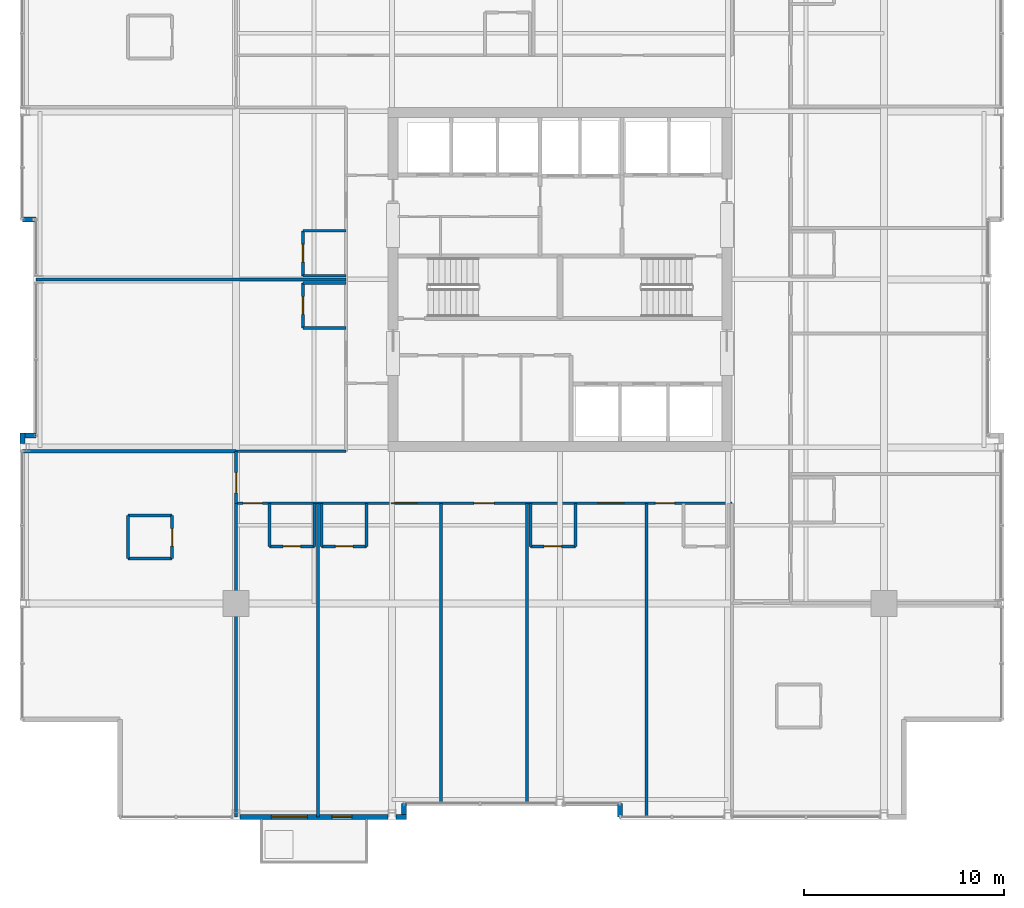
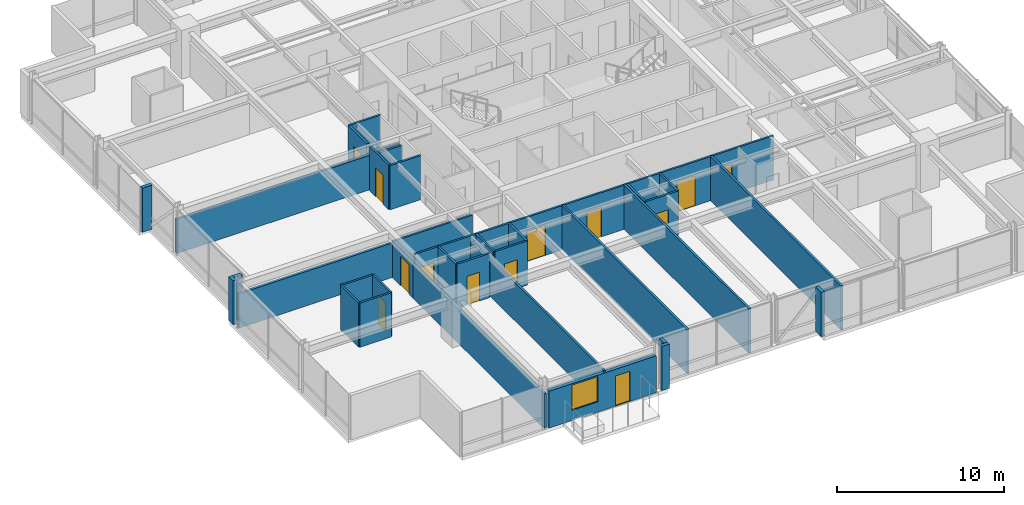
# One storey, part 26 of 33: 36 walls, 13 doors, 1 window, 14 openings.
"""IFC4 building model written with IfcOpenShell, lengths in metres."""

from ifc_helpers import new_model, si_unit, direction, frame, frame_2d, origin, place, context, subcontext, project, spatial, rectangle, extrude, material, layer, layer_set, type_object, element, fill, save


model = new_model("IFC4")

# Units and contexts
model_context = context("Model", 3, precision=1e-05, world=origin(), true_north=direction((0.0, 1.0)))
body_context = subcontext(model_context, "Body", "Model", "MODEL_VIEW")
ifc_project = project(units=[si_unit("LENGTHUNIT", "METRE"), si_unit("AREAUNIT", "SQUARE_METRE"), si_unit("VOLUMEUNIT", "CUBIC_METRE"), si_unit("PLANEANGLEUNIT", "RADIAN"), si_unit("MASSUNIT", "GRAM", prefix="KILO")], contexts=[model_context])

# Site, building, storey
site_placement = place(None, origin())
site = spatial("IfcSite", under=ifc_project, at=site_placement, CompositionType="ELEMENT")
building_placement = place(site_placement, origin())
building = spatial("IfcBuilding", under=site, at=building_placement, Name="Drelvath Grand Hotel", CompositionType="ELEMENT")
storey_placement = place(building_placement, frame((0.0, 0.0, 196.550048828125)))
storey = spatial("IfcBuildingStorey", under=building, at=storey_placement, Name="L51", CompositionType="ELEMENT", Elevation=196.550048828125)

# Wall
ifc_material_1 = material(Name="Gypsum Fireboard Partition")
ifc_layer_1 = layer(ifc_material_1, 0.135009765625)
ifc_layer_set_1 = layer_set([ifc_layer_1], Name="Gypsum Fireboard Partition")
wall_type_1 = type_object("IfcWallType", Name="Corridor Fire Barrier Wall 135", PredefinedType="PARTITIONING", material=ifc_layer_set_1)
wall_1_placement = place(storey_placement, frame((-16.199951171875, 18.39990234375, 0.0), z_axis=(0.0, 0.0, 1.0), x_axis=(1.0, 0.0, 0.0)))
element("IfcWall", 1, at=wall_1_placement, inside=storey, type_object=wall_type_1, Name="L51 SW Stub North Wall", PredefinedType="PARTITIONING", context=body_context, shape_type="SweptSolid", body=[
    extrude(rectangle(XDim=5.5, YDim=0.135009765625, at=frame_2d((2.75, 0.0))), origin(), (0.0, 0.0, 1.0), 2.607421875),
])

# Wall, openings, doors
wall_2_placement = place(storey_placement, frame((-16.199951171875, 15.800048828125, 0.0), z_axis=(0.0, 0.0, 1.0), x_axis=(1.0, 0.0, 0.0)))
wall_2 = element("IfcWall", 2, at=wall_2_placement, inside=storey, type_object=wall_type_1, Name="L51 South Stub Corridor Wall", PredefinedType="PARTITIONING", context=body_context, shape_type="SweptSolid", body=[
    extrude(rectangle(XDim=24.800048828125, YDim=0.135009765625, at=frame_2d((12.39990234375, 0.0))), origin(), (0.0, 0.0, 1.0), 3.22998046875),
])
opening_1_placement = place(wall_2_placement, frame((0.35498046875, 0.0, 0.0)))
opening_1 = element("IfcOpeningElement", 3, at=opening_1_placement, cuts=wall_2, Name="Opening D-T3G5-035", PredefinedType="OPENING", context=body_context, shape_type="SweptSolid", body=[
    extrude(rectangle(XDim=0.9599609375, YDim=2.14990234375, at=frame_2d((0.47998046875, 1.074951171875))), frame((0.0, 0.077392578125, 0.0), z_axis=(0.0, -1.0, 0.0), x_axis=(1.0, 0.0, 0.0)), (0.0, 0.0, 1.0), 0.155029296875),
])
opening_2_placement = place(wall_2_placement, frame((7.76611328125, 0.0, 0.0)))
opening_2 = element("IfcOpeningElement", 4, at=opening_2_placement, cuts=wall_2, Name="Opening D-T3G5-037", PredefinedType="OPENING", context=body_context, shape_type="SweptSolid", body=[
    extrude(rectangle(XDim=1.260009765625, YDim=2.199951171875, at=frame_2d((0.6298828125, 1.10009765625))), frame((0.0, 0.077392578125, 0.0), z_axis=(0.0, -1.0, 0.0), x_axis=(1.0, 0.0, 0.0)), (0.0, 0.0, 1.0), 0.155029296875),
])
opening_3_placement = place(wall_2_placement, frame((11.889892578125, 0.0, 0.0)))
opening_3 = element("IfcOpeningElement", 5, at=opening_3_placement, cuts=wall_2, Name="Opening D-T3G5-038", PredefinedType="OPENING", context=body_context, shape_type="SweptSolid", body=[
    extrude(rectangle(XDim=1.02001953125, YDim=2.14990234375, at=frame_2d((0.510009765625, 1.074951171875))), frame((0.0, 0.077392578125, 0.0), z_axis=(0.0, -1.0, 0.0), x_axis=(1.0, 0.0, 0.0)), (0.0, 0.0, 1.0), 0.155029296875),
])
opening_4_placement = place(wall_2_placement, frame((18.115966796875, 0.0, 0.0)))
opening_4 = element("IfcOpeningElement", 6, at=opening_4_placement, cuts=wall_2, Name="Opening D-T3G5-040", PredefinedType="OPENING", context=body_context, shape_type="SweptSolid", body=[
    extrude(rectangle(XDim=1.260009765625, YDim=2.199951171875, at=frame_2d((0.6298828125, 1.10009765625))), frame((0.0, 0.077392578125, 0.0), z_axis=(0.0, -1.0, 0.0), x_axis=(1.0, 0.0, 0.0)), (0.0, 0.0, 1.0), 0.155029296875),
])
opening_5_placement = place(wall_2_placement, frame((20.967041015625, 0.0, 0.0)))
opening_5 = element("IfcOpeningElement", 7, at=opening_5_placement, cuts=wall_2, Name="Opening D-T3G5-042", PredefinedType="OPENING", context=body_context, shape_type="SweptSolid", body=[
    extrude(rectangle(XDim=0.9599609375, YDim=2.14990234375, at=frame_2d((0.47998046875, 1.074951171875))), frame((0.0, 0.077392578125, 0.0), z_axis=(0.0, -1.0, 0.0), x_axis=(1.0, 0.0, 0.0)), (0.0, 0.0, 1.0), 0.155029296875),
])
ifc_material_2 = material(Name="Hardwood Walnut Timber", Category="wood")
door_type_1 = type_object("IfcDoorType", Name="Amenity Meeting Fire Door 1020x2150", OperationType="NOTDEFINED", PredefinedType="DOOR", material=ifc_material_2)
door_1_placement = place(opening_3_placement, origin())
door_1 = element("IfcDoor", 8, at=door_1_placement, inside=storey, type_object=door_type_1, Name="L51 Boardroom Entry Door", OperationType="SINGLE_SWING_RIGHT", OverallHeight=2.14990234375, OverallWidth=1.02001953125, PredefinedType="DOOR", context=body_context, shape_type="SweptSolid", body=[
    extrude(rectangle(XDim=1.02001953125, YDim=2.14990234375, at=frame_2d((0.510009765625, 1.074951171875))), frame((0.0, 0.02490234375, 0.0), z_axis=(0.0, -1.0, 0.0), x_axis=(1.0, 0.0, 0.0)), (0.0, 0.0, 1.0), 0.050048828125),
])
fill(opening_3, door_1)
door_type_2 = type_object("IfcDoorType", Name="Guestroom Entrance Fire Door 960x2150", OperationType="NOTDEFINED", PredefinedType="DOOR", material=ifc_material_2)
door_2_placement = place(opening_1_placement, origin())
door_2 = element("IfcDoor", 9, at=door_2_placement, inside=storey, type_object=door_type_2, Name="L51 King Guest Room Entry Door", OperationType="SINGLE_SWING_LEFT", OverallHeight=2.14990234375, OverallWidth=0.9599609375, PredefinedType="DOOR", context=body_context, shape_type="SweptSolid", body=[
    extrude(rectangle(XDim=0.9599609375, YDim=2.14990234375, at=frame_2d((0.47998046875, 1.074951171875))), frame((0.0, 0.02490234375, 0.0), z_axis=(0.0, -1.0, 0.0), x_axis=(1.0, 0.0, 0.0)), (0.0, 0.0, 1.0), 0.050048828125),
])
fill(opening_1, door_2)
door_3_placement = place(opening_5_placement, origin())
door_3 = element("IfcDoor", 10, at=door_3_placement, inside=storey, type_object=door_type_2, Name="L51 King Guest Room Entry Door", OperationType="SINGLE_SWING_RIGHT", OverallHeight=2.14990234375, OverallWidth=0.9599609375, PredefinedType="DOOR", context=body_context, shape_type="SweptSolid", body=[
    extrude(rectangle(XDim=0.9599609375, YDim=2.14990234375, at=frame_2d((0.47998046875, 1.074951171875))), frame((0.0, 0.02490234375, 0.0), z_axis=(0.0, -1.0, 0.0), x_axis=(1.0, 0.0, 0.0)), (0.0, 0.0, 1.0), 0.050048828125),
])
fill(opening_5, door_3)
door_type_3 = type_object("IfcDoorType", Name="Suite Entrance Fire Door 1260x2200", OperationType="NOTDEFINED", PredefinedType="DOOR", material=ifc_material_2)
door_4_placement = place(opening_2_placement, origin())
door_4 = element("IfcDoor", 11, at=door_4_placement, inside=storey, type_object=door_type_3, Name="L51 Executive Suite Entry Door", OperationType="SINGLE_SWING_LEFT", OverallHeight=2.199951171875, OverallWidth=1.260009765625, PredefinedType="DOOR", context=body_context, shape_type="SweptSolid", body=[
    extrude(rectangle(XDim=1.260009765625, YDim=2.199951171875, at=frame_2d((0.6298828125, 1.10009765625))), frame((0.0, 0.02490234375, 0.0), z_axis=(0.0, -1.0, 0.0), x_axis=(1.0, 0.0, 0.0)), (0.0, 0.0, 1.0), 0.050048828125),
])
fill(opening_2, door_4)
door_5_placement = place(opening_4_placement, origin())
door_5 = element("IfcDoor", 12, at=door_5_placement, inside=storey, type_object=door_type_3, Name="L51 Executive Suite Entry Door", OperationType="SINGLE_SWING_RIGHT", OverallHeight=2.199951171875, OverallWidth=1.260009765625, PredefinedType="DOOR", context=body_context, shape_type="SweptSolid", body=[
    extrude(rectangle(XDim=1.260009765625, YDim=2.199951171875, at=frame_2d((0.6298828125, 1.10009765625))), frame((0.0, 0.02490234375, 0.0), z_axis=(0.0, -1.0, 0.0), x_axis=(1.0, 0.0, 0.0)), (0.0, 0.0, 1.0), 0.050048828125),
])
fill(opening_4, door_5)

# Wall, opening, door
wall_3_placement = place(storey_placement, frame((-16.199951171875, 15.800048828125, 0.0), z_axis=(0.0, 0.0, 1.0), x_axis=(0.0, 1.0, 0.0)))
wall_3 = element("IfcWall", 13, at=wall_3_placement, inside=storey, type_object=wall_type_1, Name="L51 South Stub West End", PredefinedType="PARTITIONING", context=body_context, shape_type="SweptSolid", body=[
    extrude(rectangle(XDim=2.599853515625, YDim=0.135009765625, at=frame_2d((1.2998046875, 0.0))), origin(), (0.0, 0.0, 1.0), 2.51953125),
])
opening_6_placement = place(wall_3_placement, frame((0.52001953125, 0.0, 0.0)))
opening_6 = element("IfcOpeningElement", 14, at=opening_6_placement, cuts=wall_3, Name="Opening D-T3G5-027", PredefinedType="OPENING", context=body_context, shape_type="SweptSolid", body=[
    extrude(rectangle(XDim=1.02001953125, YDim=2.14990234375, at=frame_2d((0.510009765625, 1.074951171875))), frame((0.0, 0.077392578125, 0.0), z_axis=(0.0, -1.0, 0.0), x_axis=(1.0, 0.0, 0.0)), (0.0, 0.0, 1.0), 0.155029296875),
])
door_6_placement = place(opening_6_placement, origin())
door_6 = element("IfcDoor", 15, at=door_6_placement, inside=storey, type_object=door_type_1, Name="L51 Executive Suite Entry Door", OperationType="SINGLE_SWING_LEFT", OverallHeight=2.14990234375, OverallWidth=1.02001953125, PredefinedType="DOOR", context=body_context, shape_type="SweptSolid", body=[
    extrude(rectangle(XDim=1.02001953125, YDim=2.14990234375, at=frame_2d((0.510009765625, 1.074951171875))), frame((0.0, 0.02490234375, 0.0), z_axis=(0.0, -1.0, 0.0), x_axis=(1.0, 0.0, 0.0)), (0.0, 0.0, 1.0), 0.050048828125),
])
fill(opening_6, door_6)

# Walls
ifc_material_3 = material(Name="Moisture-Resistant Gypsum Board")
ifc_layer_2 = layer(ifc_material_3, 0.139892578125)
ifc_layer_set_2 = layer_set([ifc_layer_2], Name="Moisture-Resistant Gypsum Board")
wall_type_2 = type_object("IfcWallType", Name="En-Suite Plumbing Wall 140", PredefinedType="PLUMBINGWALL", material=ifc_layer_set_2)
for number, where, z_axis, x_axis, name in (
    (16, (-21.60009765625, 13.0400390625, 0.0), (0.0, 0.0, 1.0), (1.0, 0.0, 0.0), "L51 Corner En-Suite South"),
    (17, (-21.60009765625, 15.18994140625, 0.0), (0.0, 0.0, 1.0), (1.0, 0.0, 0.0), "L51 Corner En-Suite North"),
):
    element("IfcWall", number, at=place(storey_placement, frame(where, z_axis=z_axis, x_axis=x_axis)), inside=storey, type_object=wall_type_2, Name=name, PredefinedType="PLUMBINGWALL", context=body_context, shape_type="SweptSolid", body=[
        extrude(rectangle(XDim=2.2001953125, YDim=0.139892578125, at=frame_2d((1.10009765625, 0.0))), origin(), (0.0, 0.0, 1.0), 3.22998046875),
    ])
wall_4_placement = place(storey_placement, frame((-21.60009765625, 13.0400390625, 0.0), z_axis=(0.0, 0.0, 1.0), x_axis=(0.0, 1.0, 0.0)))
element("IfcWall", 18, at=wall_4_placement, inside=storey, type_object=wall_type_2, Name="L51 Corner En-Suite West", PredefinedType="PLUMBINGWALL", context=body_context, shape_type="SweptSolid", body=[
    extrude(rectangle(XDim=2.14990234375, YDim=0.139892578125, at=frame_2d((1.074951171875, 0.0))), origin(), (0.0, 0.0, 1.0), 3.22998046875),
])

# Wall, opening, door
wall_5_placement = place(storey_placement, frame((-19.39990234375, 13.0400390625, 0.0), z_axis=(0.0, 0.0, 1.0), x_axis=(0.0, 1.0, 0.0)))
wall_5 = element("IfcWall", 19, at=wall_5_placement, inside=storey, type_object=wall_type_2, Name="L51 Corner En-Suite East", PredefinedType="PLUMBINGWALL", context=body_context, shape_type="SweptSolid", body=[
    extrude(rectangle(XDim=2.14990234375, YDim=0.139892578125, at=frame_2d((1.074951171875, 0.0))), origin(), (0.0, 0.0, 1.0), 3.22998046875),
])
opening_7_placement = place(wall_5_placement, frame((0.6201171875, 0.0, 0.0)))
opening_7 = element("IfcOpeningElement", 20, at=opening_7_placement, cuts=wall_5, Name="Opening D-T3G5-026", PredefinedType="OPENING", context=body_context, shape_type="SweptSolid", body=[
    extrude(rectangle(XDim=0.8798828125, YDim=2.10009765625, at=frame_2d((0.43994140625, 1.050048828125))), frame((0.0, 0.079833984375, 0.0), z_axis=(0.0, -1.0, 0.0), x_axis=(1.0, 0.0, 0.0)), (0.0, 0.0, 1.0), 0.159912109375),
])
door_type_4 = type_object("IfcDoorType", Name="En-Suite Bathroom Door 880x2100", OperationType="NOTDEFINED", PredefinedType="DOOR", material=ifc_material_2)
door_7_placement = place(opening_7_placement, origin())
door_7 = element("IfcDoor", 21, at=door_7_placement, inside=storey, type_object=door_type_4, Name="L51 Corner En-Suite Door", OperationType="SINGLE_SWING_RIGHT", OverallHeight=2.10009765625, OverallWidth=0.8798828125, PredefinedType="DOOR", context=body_context, shape_type="SweptSolid", body=[
    extrude(rectangle(XDim=0.8798828125, YDim=2.10009765625, at=frame_2d((0.43994140625, 1.050048828125))), frame((0.0, 0.02490234375, 0.0), z_axis=(0.0, -1.0, 0.0), x_axis=(1.0, 0.0, 0.0)), (0.0, 0.0, 1.0), 0.050048828125),
])
fill(opening_7, door_7)

# Walls
wall_6_placement = place(storey_placement, frame((-14.530029296875, 15.800048828125, 0.0), z_axis=(0.0, 0.0, 1.0), x_axis=(0.0, -1.0, 0.0)))
element("IfcWall", 22, at=wall_6_placement, inside=storey, type_object=wall_type_2, Name="L51 En-Suite Left Wall", PredefinedType="PLUMBINGWALL", context=body_context, shape_type="SweptSolid", body=[
    extrude(rectangle(XDim=2.150146484375, YDim=0.139892578125, at=frame_2d((1.0751953125, 0.0))), origin(), (0.0, 0.0, 1.0), 3.22998046875),
])
wall_7_placement = place(storey_placement, frame((-12.280029296875, 15.800048828125, 0.0), z_axis=(0.0, 0.0, 1.0), x_axis=(0.0, -1.0, 0.0)))
element("IfcWall", 23, at=wall_7_placement, inside=storey, type_object=wall_type_2, Name="L51 En-Suite Right Wall", PredefinedType="PLUMBINGWALL", context=body_context, shape_type="SweptSolid", body=[
    extrude(rectangle(XDim=2.150146484375, YDim=0.139892578125, at=frame_2d((1.0751953125, 0.0))), origin(), (0.0, 0.0, 1.0), 2.808349609375),
])

# Wall, opening, door
wall_8_placement = place(storey_placement, frame((-14.530029296875, 13.64990234375, 0.0), z_axis=(0.0, 0.0, 1.0), x_axis=(1.0, 0.0, 0.0)))
wall_8 = element("IfcWall", 24, at=wall_8_placement, inside=storey, type_object=wall_type_2, Name="L51 En-Suite Front Wall", PredefinedType="PLUMBINGWALL", context=body_context, shape_type="SweptSolid", body=[
    extrude(rectangle(XDim=2.25, YDim=0.139892578125, at=frame_2d((1.125, 0.0))), origin(), (0.0, 0.0, 1.0), 3.22998046875),
])
opening_8_placement = place(wall_8_placement, frame((0.68505859375, 0.0, 0.0)))
opening_8 = element("IfcOpeningElement", 25, at=opening_8_placement, cuts=wall_8, Name="Opening D-T3G5-034", PredefinedType="OPENING", context=body_context, shape_type="SweptSolid", body=[
    extrude(rectangle(XDim=0.8798828125, YDim=2.10009765625, at=frame_2d((0.43994140625, 1.050048828125))), frame((0.0, 0.079833984375, 0.0), z_axis=(0.0, -1.0, 0.0), x_axis=(1.0, 0.0, 0.0)), (0.0, 0.0, 1.0), 0.159912109375),
])
door_8_placement = place(opening_8_placement, origin())
door_8 = element("IfcDoor", 26, at=door_8_placement, inside=storey, type_object=door_type_4, Name="L51 En-Suite Bathroom Door", OperationType="SINGLE_SWING_RIGHT", OverallHeight=2.10009765625, OverallWidth=0.8798828125, PredefinedType="DOOR", context=body_context, shape_type="SweptSolid", body=[
    extrude(rectangle(XDim=0.8798828125, YDim=2.10009765625, at=frame_2d((0.43994140625, 1.050048828125))), frame((0.0, 0.02490234375, 0.0), z_axis=(0.0, -1.0, 0.0), x_axis=(1.0, 0.0, 0.0)), (0.0, 0.0, 1.0), 0.050048828125),
])
fill(opening_8, door_8)

# Walls
for number, where, z_axis, x_axis, name in (
    (27, (-11.919921875, 15.800048828125, 0.0), (0.0, 0.0, 1.0), (0.0, -1.0, 0.0), "L51 En-Suite Left Wall"),
    (28, (-9.669921875, 15.800048828125, 0.0), (0.0, 0.0, 1.0), (0.0, -1.0, 0.0), "L51 En-Suite Right Wall"),
):
    element("IfcWall", number, at=place(storey_placement, frame(where, z_axis=z_axis, x_axis=x_axis)), inside=storey, type_object=wall_type_2, Name=name, PredefinedType="PLUMBINGWALL", context=body_context, shape_type="SweptSolid", body=[
        extrude(rectangle(XDim=2.150146484375, YDim=0.139892578125, at=frame_2d((1.0751953125, 0.0))), origin(), (0.0, 0.0, 1.0), 3.22998046875),
    ])

# Wall, opening, door
wall_9_placement = place(storey_placement, frame((-11.919921875, 13.64990234375, 0.0), z_axis=(0.0, 0.0, 1.0), x_axis=(1.0, 0.0, 0.0)))
wall_9 = element("IfcWall", 29, at=wall_9_placement, inside=storey, type_object=wall_type_2, Name="L51 En-Suite Front Wall", PredefinedType="PLUMBINGWALL", context=body_context, shape_type="SweptSolid", body=[
    extrude(rectangle(XDim=2.25, YDim=0.139892578125, at=frame_2d((1.125, 0.0))), origin(), (0.0, 0.0, 1.0), 3.22998046875),
])
opening_9_placement = place(wall_9_placement, frame((0.68505859375, 0.0, 0.0)))
opening_9 = element("IfcOpeningElement", 30, at=opening_9_placement, cuts=wall_9, Name="Opening D-T3G5-036", PredefinedType="OPENING", context=body_context, shape_type="SweptSolid", body=[
    extrude(rectangle(XDim=0.8798828125, YDim=2.10009765625, at=frame_2d((0.43994140625, 1.050048828125))), frame((0.0, 0.079833984375, 0.0), z_axis=(0.0, -1.0, 0.0), x_axis=(1.0, 0.0, 0.0)), (0.0, 0.0, 1.0), 0.159912109375),
])
door_9_placement = place(opening_9_placement, origin())
door_9 = element("IfcDoor", 31, at=door_9_placement, inside=storey, type_object=door_type_4, Name="L51 En-Suite Bathroom Door", OperationType="SINGLE_SWING_RIGHT", OverallHeight=2.10009765625, OverallWidth=0.8798828125, PredefinedType="DOOR", context=body_context, shape_type="SweptSolid", body=[
    extrude(rectangle(XDim=0.8798828125, YDim=2.10009765625, at=frame_2d((0.43994140625, 1.050048828125))), frame((0.0, 0.02490234375, 0.0), z_axis=(0.0, -1.0, 0.0), x_axis=(1.0, 0.0, 0.0)), (0.0, 0.0, 1.0), 0.050048828125),
])
fill(opening_9, door_9)

# Walls
for number, where, z_axis, x_axis, name in (
    (32, (-1.482177734375, 15.800048828125, 0.0), (0.0, 0.0, 1.0), (0.0, -1.0, 0.0), "L51 En-Suite Left Wall"),
    (33, (0.767822265625, 15.800048828125, 0.0), (0.0, 0.0, 1.0), (0.0, -1.0, 0.0), "L51 En-Suite Right Wall"),
):
    element("IfcWall", number, at=place(storey_placement, frame(where, z_axis=z_axis, x_axis=x_axis)), inside=storey, type_object=wall_type_2, Name=name, PredefinedType="PLUMBINGWALL", context=body_context, shape_type="SweptSolid", body=[
        extrude(rectangle(XDim=2.150146484375, YDim=0.139892578125, at=frame_2d((1.0751953125, 0.0))), origin(), (0.0, 0.0, 1.0), 3.22998046875),
    ])

# Wall, opening, door
wall_10_placement = place(storey_placement, frame((-1.482177734375, 13.64990234375, 0.0), z_axis=(0.0, 0.0, 1.0), x_axis=(1.0, 0.0, 0.0)))
wall_10 = element("IfcWall", 34, at=wall_10_placement, inside=storey, type_object=wall_type_2, Name="L51 En-Suite Front Wall", PredefinedType="PLUMBINGWALL", context=body_context, shape_type="SweptSolid", body=[
    extrude(rectangle(XDim=2.25, YDim=0.139892578125, at=frame_2d((1.125, 0.0))), origin(), (0.0, 0.0, 1.0), 3.22998046875),
])
opening_10_placement = place(wall_10_placement, frame((0.68505859375, 0.0, 0.0)))
opening_10 = element("IfcOpeningElement", 35, at=opening_10_placement, cuts=wall_10, Name="Opening D-T3G5-039", PredefinedType="OPENING", context=body_context, shape_type="SweptSolid", body=[
    extrude(rectangle(XDim=0.8798828125, YDim=2.10009765625, at=frame_2d((0.43994140625, 1.050048828125))), frame((0.0, 0.079833984375, 0.0), z_axis=(0.0, -1.0, 0.0), x_axis=(1.0, 0.0, 0.0)), (0.0, 0.0, 1.0), 0.159912109375),
])
door_10_placement = place(opening_10_placement, origin())
door_10 = element("IfcDoor", 36, at=door_10_placement, inside=storey, type_object=door_type_4, Name="L51 En-Suite Bathroom Door", OperationType="SINGLE_SWING_LEFT", OverallHeight=2.10009765625, OverallWidth=0.8798828125, PredefinedType="DOOR", context=body_context, shape_type="SweptSolid", body=[
    extrude(rectangle(XDim=0.8798828125, YDim=2.10009765625, at=frame_2d((0.43994140625, 1.050048828125))), frame((0.0, 0.02490234375, 0.0), z_axis=(0.0, -1.0, 0.0), x_axis=(1.0, 0.0, 0.0)), (0.0, 0.0, 1.0), 0.050048828125),
])
fill(opening_10, door_10)

# Walls
wall_11_placement = place(storey_placement, frame((-10.699951171875, 24.570068359375, 0.0), z_axis=(0.0, 0.0, 1.0), x_axis=(-1.0, 0.0, 0.0)))
element("IfcWall", 37, at=wall_11_placement, inside=storey, type_object=wall_type_2, Name="L51 En-Suite Left Wall", PredefinedType="PLUMBINGWALL", context=body_context, shape_type="SweptSolid", body=[
    extrude(rectangle(XDim=2.150146484375, YDim=0.139892578125, at=frame_2d((1.0751953125, 0.0))), origin(), (0.0, 0.0, 1.0), 3.22998046875),
])
wall_12_placement = place(storey_placement, frame((-10.699951171875, 26.820068359375, 0.0), z_axis=(0.0, 0.0, 1.0), x_axis=(-1.0, 0.0, 0.0)))
element("IfcWall", 38, at=wall_12_placement, inside=storey, type_object=wall_type_2, Name="L51 En-Suite Right Wall", PredefinedType="PLUMBINGWALL", context=body_context, shape_type="SweptSolid", body=[
    extrude(rectangle(XDim=2.150146484375, YDim=0.139892578125, at=frame_2d((1.0751953125, 0.0))), origin(), (0.0, 0.0, 1.0), 2.607421875),
])

# Wall, opening, door
wall_13_placement = place(storey_placement, frame((-12.85009765625, 24.570068359375, 0.0), z_axis=(0.0, 0.0, 1.0), x_axis=(0.0, 1.0, 0.0)))
wall_13 = element("IfcWall", 39, at=wall_13_placement, inside=storey, type_object=wall_type_2, Name="L51 En-Suite Front Wall", PredefinedType="PLUMBINGWALL", context=body_context, shape_type="SweptSolid", body=[
    extrude(rectangle(XDim=2.25, YDim=0.139892578125, at=frame_2d((1.125, 0.0))), origin(), (0.0, 0.0, 1.0), 3.22998046875),
])
opening_11_placement = place(wall_13_placement, frame((0.68505859375, 0.0, 0.0)))
opening_11 = element("IfcOpeningElement", 40, at=opening_11_placement, cuts=wall_13, Name="Opening D-T3G5-054", PredefinedType="OPENING", context=body_context, shape_type="SweptSolid", body=[
    extrude(rectangle(XDim=0.8798828125, YDim=2.10009765625, at=frame_2d((0.43994140625, 1.050048828125))), frame((0.0, 0.079833984375, 0.0), z_axis=(0.0, -1.0, 0.0), x_axis=(1.0, 0.0, 0.0)), (0.0, 0.0, 1.0), 0.159912109375),
])
door_11_placement = place(opening_11_placement, origin())
door_11 = element("IfcDoor", 41, at=door_11_placement, inside=storey, type_object=door_type_4, Name="L51 En-Suite Bathroom Door", OperationType="SINGLE_SWING_RIGHT", OverallHeight=2.10009765625, OverallWidth=0.8798828125, PredefinedType="DOOR", context=body_context, shape_type="SweptSolid", body=[
    extrude(rectangle(XDim=0.8798828125, YDim=2.10009765625, at=frame_2d((0.43994140625, 1.050048828125))), frame((0.0, 0.02490234375, 0.0), z_axis=(0.0, -1.0, 0.0), x_axis=(1.0, 0.0, 0.0)), (0.0, 0.0, 1.0), 0.050048828125),
])
fill(opening_11, door_11)

# Walls
wall_14_placement = place(storey_placement, frame((-10.699951171875, 27.179931640625, 0.0), z_axis=(0.0, 0.0, 1.0), x_axis=(-1.0, 0.0, 0.0)))
element("IfcWall", 42, at=wall_14_placement, inside=storey, type_object=wall_type_2, Name="L51 En-Suite Left Wall", PredefinedType="PLUMBINGWALL", context=body_context, shape_type="SweptSolid", body=[
    extrude(rectangle(XDim=2.150146484375, YDim=0.139892578125, at=frame_2d((1.0751953125, 0.0))), origin(), (0.0, 0.0, 1.0), 2.607421875),
])
wall_15_placement = place(storey_placement, frame((-10.699951171875, 29.429931640625, 0.0), z_axis=(0.0, 0.0, 1.0), x_axis=(-1.0, 0.0, 0.0)))
element("IfcWall", 43, at=wall_15_placement, inside=storey, type_object=wall_type_2, Name="L51 En-Suite Right Wall", PredefinedType="PLUMBINGWALL", context=body_context, shape_type="SweptSolid", body=[
    extrude(rectangle(XDim=2.150146484375, YDim=0.139892578125, at=frame_2d((1.0751953125, 0.0))), origin(), (0.0, 0.0, 1.0), 3.22998046875),
])

# Wall, opening, door
wall_16_placement = place(storey_placement, frame((-12.85009765625, 27.179931640625, 0.0), z_axis=(0.0, 0.0, 1.0), x_axis=(0.0, 1.0, 0.0)))
wall_16 = element("IfcWall", 44, at=wall_16_placement, inside=storey, type_object=wall_type_2, Name="L51 En-Suite Front Wall", PredefinedType="PLUMBINGWALL", context=body_context, shape_type="SweptSolid", body=[
    extrude(rectangle(XDim=2.25, YDim=0.139892578125, at=frame_2d((1.125, 0.0))), origin(), (0.0, 0.0, 1.0), 3.22998046875),
])
opening_12_placement = place(wall_16_placement, frame((0.68505859375, 0.0, 0.0)))
opening_12 = element("IfcOpeningElement", 45, at=opening_12_placement, cuts=wall_16, Name="Opening D-T3G5-056", PredefinedType="OPENING", context=body_context, shape_type="SweptSolid", body=[
    extrude(rectangle(XDim=0.8798828125, YDim=2.10009765625, at=frame_2d((0.43994140625, 1.050048828125))), frame((0.0, 0.079833984375, 0.0), z_axis=(0.0, -1.0, 0.0), x_axis=(1.0, 0.0, 0.0)), (0.0, 0.0, 1.0), 0.159912109375),
])
door_12_placement = place(opening_12_placement, origin())
door_12 = element("IfcDoor", 46, at=door_12_placement, inside=storey, type_object=door_type_4, Name="L51 En-Suite Bathroom Door", OperationType="SINGLE_SWING_RIGHT", OverallHeight=2.10009765625, OverallWidth=0.8798828125, PredefinedType="DOOR", context=body_context, shape_type="SweptSolid", body=[
    extrude(rectangle(XDim=0.8798828125, YDim=2.10009765625, at=frame_2d((0.43994140625, 1.050048828125))), frame((0.0, 0.02490234375, 0.0), z_axis=(0.0, -1.0, 0.0), x_axis=(1.0, 0.0, 0.0)), (0.0, 0.0, 1.0), 0.050048828125),
])
fill(opening_12, door_12)

# Walls
ifc_material_4 = material(Name="Gypsum Acoustic Partition")
ifc_layer_3 = layer(ifc_material_4, 0.14990234375)
ifc_layer_set_3 = layer_set([ifc_layer_3], Name="Gypsum Acoustic Partition")
wall_type_3 = type_object("IfcWallType", Name="Guestroom Demising Wall 150", PredefinedType="PARTITIONING", material=ifc_layer_set_3)
wall_17_placement = place(storey_placement, frame((-12.10009765625, 0.1201171875, 0.0), z_axis=(0.0, 0.0, 1.0), x_axis=(0.0, 1.0, 0.0)))
element("IfcWall", 47, at=wall_17_placement, inside=storey, type_object=wall_type_3, Name="L51 South Demising 1", PredefinedType="PARTITIONING", context=body_context, shape_type="SweptSolid", body=[
    extrude(rectangle(XDim=15.679931640625, YDim=0.14990234375, at=frame_2d((7.83984375, 0.0))), origin(), (0.0, 0.0, 1.0), 2.808349609375),
])
for number, where, z_axis, x_axis, name in (
    (48, (-5.93798828125, 0.800048828125, 0.0), (0.0, 0.0, 1.0), (0.0, 1.0, 0.0), "L51 South Demising 2"),
    (49, (-1.662109375, 0.800048828125, 0.0), (0.0, 0.0, 1.0), (0.0, 1.0, 0.0), "L51 South Demising 3"),
):
    element("IfcWall", number, at=place(storey_placement, frame(where, z_axis=z_axis, x_axis=x_axis)), inside=storey, type_object=wall_type_3, Name=name, PredefinedType="PARTITIONING", context=body_context, shape_type="SweptSolid", body=[
        extrude(rectangle(XDim=15.0, YDim=0.14990234375, at=frame_2d((7.5, 0.0))), origin(), (0.0, 0.0, 1.0), 3.22998046875),
    ])
wall_18_placement = place(storey_placement, frame((4.32421875, 0.1201171875, 0.0), z_axis=(0.0, 0.0, 1.0), x_axis=(0.0, 1.0, 0.0)))
element("IfcWall", 50, at=wall_18_placement, inside=storey, type_object=wall_type_3, Name="L51 South Demising 4", PredefinedType="PARTITIONING", context=body_context, shape_type="SweptSolid", body=[
    extrude(rectangle(XDim=15.679931640625, YDim=0.14990234375, at=frame_2d((7.83984375, 0.0))), origin(), (0.0, 0.0, 1.0), 3.22998046875),
])
wall_19_placement = place(storey_placement, frame((-26.199951171875, 27.0, 0.0), z_axis=(0.0, 0.0, 1.0), x_axis=(1.0, 0.0, 0.0)))
element("IfcWall", 51, at=wall_19_placement, inside=storey, type_object=wall_type_3, Name="L51 West Suite Demising Wall", PredefinedType="PARTITIONING", context=body_context, shape_type="SweptSolid", body=[
    extrude(rectangle(XDim=15.5, YDim=0.14990234375, at=frame_2d((7.75, 0.0))), origin(), (0.0, 0.0, 1.0), 2.51953125),
])
ifc_layer_4 = layer(ifc_material_4, 0.1650390625)
ifc_layer_set_4 = layer_set([ifc_layer_4], Name="Gypsum Acoustic Partition")
wall_type_4 = type_object("IfcWallType", Name="Suite Demising Wall 165", PredefinedType="PARTITIONING", material=ifc_layer_set_4)
wall_20_placement = place(storey_placement, frame((-16.199951171875, 0.1201171875, 0.0), z_axis=(0.0, 0.0, 1.0), x_axis=(0.0, 1.0, 0.0)))
element("IfcWall", 52, at=wall_20_placement, inside=storey, type_object=wall_type_4, Name="L51 SW Suite East Wall", PredefinedType="PARTITIONING", context=body_context, shape_type="SweptSolid", body=[
    extrude(rectangle(XDim=15.679931640625, YDim=0.1650390625, at=frame_2d((7.83984375, 0.0))), origin(), (0.0, 0.0, 1.0), 2.51953125),
])
wall_21_placement = place(storey_placement, frame((-26.8798828125, 18.39990234375, 0.0), z_axis=(0.0, 0.0, 1.0), x_axis=(1.0, 0.0, 0.0)))
element("IfcWall", 53, at=wall_21_placement, inside=storey, type_object=wall_type_4, Name="L51 SW Suite North Wall", PredefinedType="PARTITIONING", context=body_context, shape_type="SweptSolid", body=[
    extrude(rectangle(XDim=10.679931640625, YDim=0.1650390625, at=frame_2d((5.33984375, 0.0))), origin(), (0.0, 0.0, 1.0), 2.51953125),
])
ifc_material_5 = material(Name="Pale-Metal Insulated Aluminium Spandrel Assembly", Category="aluminium")
ifc_layer_5 = layer(ifc_material_5, 0.239990234375)
ifc_layer_set_5 = layer_set([ifc_layer_5], Name="Pale-Metal Insulated Aluminium Spandrel Assembly")
wall_type_5 = type_object("IfcWallType", Name="Tower Insulated Metal Spandrel Closure Wall 240", PredefinedType="STANDARD", material=ifc_layer_set_5)
wall_22_placement = place(storey_placement, frame((-26.8798828125, 18.791748046875, 0.0), z_axis=(0.0, 0.0, 1.0), x_axis=(0.0, 1.0, 0.0)))
element("IfcWall", 54, at=wall_22_placement, inside=storey, type_object=wall_type_5, Name="L51 Corner Pier Spandrel Wall WS3", PredefinedType="STANDARD", context=body_context, shape_type="SweptSolid", body=[
    extrude(rectangle(XDim=0.5283203125, YDim=0.239990234375, at=frame_2d((0.26416015625, 0.0))), origin(), (0.0, 0.0, 1.0), 3.22998046875),
])

# Wall, openings, window, door
wall_23_placement = place(storey_placement, frame((-8.591796875, 0.1201171875, 0.0), z_axis=(0.0, 0.0, 1.0), x_axis=(-1.0, 0.0, 0.0)))
wall_23 = element("IfcWall", 55, at=wall_23_placement, inside=storey, type_object=wall_type_5, Name="L51 Exterior Terrace Door Bay Wall SW2", PredefinedType="STANDARD", context=body_context, shape_type="SweptSolid", body=[
    extrude(rectangle(XDim=7.41650390625, YDim=0.239990234375, at=frame_2d((3.708251953125, 0.0))), origin(), (0.0, 0.0, 1.0), 2.693359375),
])
opening_13_placement = place(wall_23_placement, frame((1.808349609375, 0.0, 0.0)))
opening_13 = element("IfcOpeningElement", 56, at=opening_13_placement, cuts=wall_23, Name="Opening TD-1000", PredefinedType="OPENING", context=body_context, shape_type="SweptSolid", body=[
    extrude(rectangle(XDim=1.0, YDim=2.199951171875, at=frame_2d((0.5, 1.10009765625))), frame((0.0, 0.1298828125, 0.0), z_axis=(0.0, -1.0, 0.0), x_axis=(1.0, 0.0, 0.0)), (0.0, 0.0, 1.0), 0.260009765625),
])
opening_14_placement = place(wall_23_placement, frame((4.037109375, 0.0, 0.75)))
opening_14 = element("IfcOpeningElement", 57, at=opening_14_placement, cuts=wall_23, Name="Opening W-02", PredefinedType="OPENING", context=body_context, shape_type="SweptSolid", body=[
    extrude(rectangle(XDim=1.800048828125, YDim=1.84326171875, at=frame_2d((0.89990234375, 0.921630859375))), frame((0.0, 0.1298828125, 0.0), z_axis=(0.0, -1.0, 0.0), x_axis=(1.0, 0.0, 0.0)), (0.0, 0.0, 1.0), 0.260009765625),
])
ifc_material_6 = material(Name="Bronze Anodised Low-E Triple Glazing", Category="glass")
window_type = type_object("IfcWindowType", Name="Chicago Double-Pane Podium Window 1800x2400", PartitioningType="DOUBLE_PANEL_VERTICAL", PredefinedType="WINDOW", material=ifc_material_6)
window_placement = place(opening_14_placement, origin())
window = element("IfcWindow", 58, at=window_placement, inside=storey, type_object=window_type, Name="L51 Terrace Bay Companion Window SW2", OverallHeight=1.84326171875, OverallWidth=1.800048828125, PartitioningType="SINGLE_PANEL", PredefinedType="WINDOW", context=body_context, shape_type="SweptSolid", body=[
    extrude(rectangle(XDim=1.800048828125, YDim=1.84326171875, at=frame_2d((0.89990234375, 0.921630859375))), frame((0.0, 0.030029296875, 0.0), z_axis=(0.0, -1.0, 0.0), x_axis=(1.0, 0.0, 0.0)), (0.0, 0.0, 1.0), 0.06005859375),
])
fill(opening_14, window)
ifc_material_7 = material(Name="Anodised Aluminium Thermally Broken Glazed Door", Category="aluminium")
door_type_5 = type_object("IfcDoorType", Name="Terrace and Tree Balcony Glazed Door 1000x2200", OperationType="NOTDEFINED", PredefinedType="DOOR", material=ifc_material_7)
door_13_placement = place(opening_13_placement, origin())
door_13 = element("IfcDoor", 59, at=door_13_placement, inside=storey, type_object=door_type_5, Name="L51 Tree Balcony Door DOOR-L51-TBAL-1", OperationType="SINGLE_SWING_RIGHT", OverallHeight=2.199951171875, OverallWidth=1.0, PredefinedType="DOOR", context=body_context, shape_type="SweptSolid", body=[
    extrude(rectangle(XDim=1.0, YDim=2.199951171875, at=frame_2d((0.5, 1.10009765625))), frame((0.0, 0.02490234375, 0.0), z_axis=(0.0, -1.0, 0.0), x_axis=(1.0, 0.0, 0.0)), (0.0, 0.0, 1.0), 0.050048828125),
])
fill(opening_13, door_13)

# Walls
wall_24_placement = place(storey_placement, frame((-7.679931640625, 0.1201171875, 0.0), z_axis=(0.0, 0.0, 1.0), x_axis=(-1.0, 0.0, 0.0)))
element("IfcWall", 60, at=wall_24_placement, inside=storey, type_object=wall_type_5, Name="L51 Corner Pier Spandrel Wall SW3", PredefinedType="STANDARD", context=body_context, shape_type="SweptSolid", body=[
    extrude(rectangle(XDim=0.5283203125, YDim=0.239990234375, at=frame_2d((0.26416015625, 0.0))), origin(), (0.0, 0.0, 1.0), 3.22998046875),
])
wall_25_placement = place(storey_placement, frame((-26.760009765625, 19.199951171875, 0.0), z_axis=(0.0, 0.0, 1.0), x_axis=(1.0, 0.0, 0.0)))
element("IfcWall", 61, at=wall_25_placement, inside=storey, type_object=wall_type_5, Name="L51 Notched Corner Return Spandrel Wall RW1", PredefinedType="STANDARD", context=body_context, shape_type="SweptSolid", body=[
    extrude(rectangle(XDim=0.56005859375, YDim=0.239990234375, at=frame_2d((0.280029296875, 0.0))), origin(), (0.0, 0.0, 1.0), 3.22998046875),
])
for number, where, z_axis, x_axis, name in (
    (62, (-26.199951171875, 30.0, 0.0), (0.0, 0.0, 1.0), (-1.0, 0.0, 0.0), "L51 Notched Corner Return Spandrel Wall RW2"),
    (63, (3.0, 0.1201171875, 0.0), (0.0, 0.0, 1.0), (0.0, 1.0, 0.0), "L51 Notched Corner Return Spandrel Wall RS1"),
):
    element("IfcWall", number, at=place(storey_placement, frame(where, z_axis=z_axis, x_axis=x_axis)), inside=storey, type_object=wall_type_5, Name=name, PredefinedType="STANDARD", context=body_context, shape_type="SweptSolid", body=[
        extrude(rectangle(XDim=0.679931640625, YDim=0.239990234375, at=frame_2d((0.33984375, 0.0))), origin(), (0.0, 0.0, 1.0), 3.22998046875),
    ])
wall_26_placement = place(storey_placement, frame((-7.800048828125, 0.800048828125, 0.0), z_axis=(0.0, 0.0, 1.0), x_axis=(0.0, -1.0, 0.0)))
element("IfcWall", 64, at=wall_26_placement, inside=storey, type_object=wall_type_5, Name="L51 Notched Corner Return Spandrel Wall RS2", PredefinedType="STANDARD", context=body_context, shape_type="SweptSolid", body=[
    extrude(rectangle(XDim=0.56005859375, YDim=0.239990234375, at=frame_2d((0.280029296875, 0.0))), origin(), (0.0, 0.0, 1.0), 3.22998046875),
])

save(model, "model.ifc")
